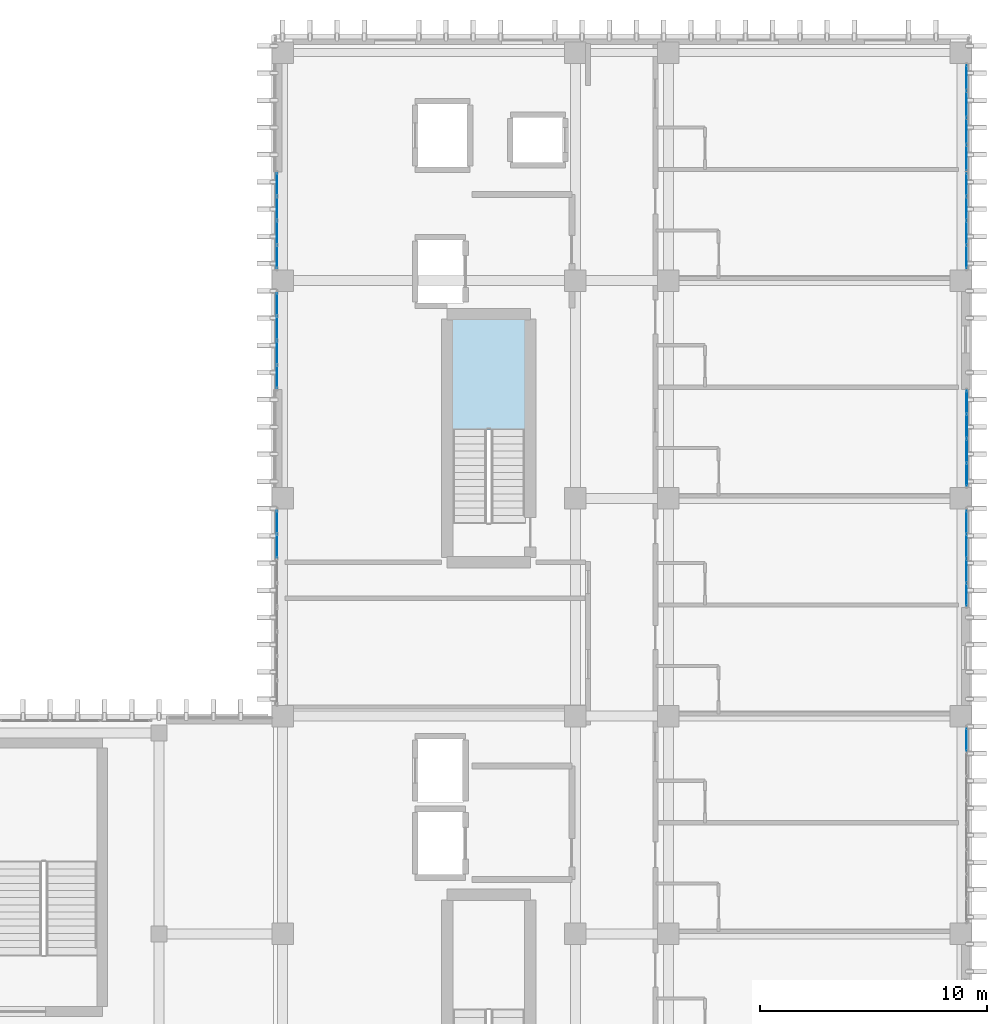
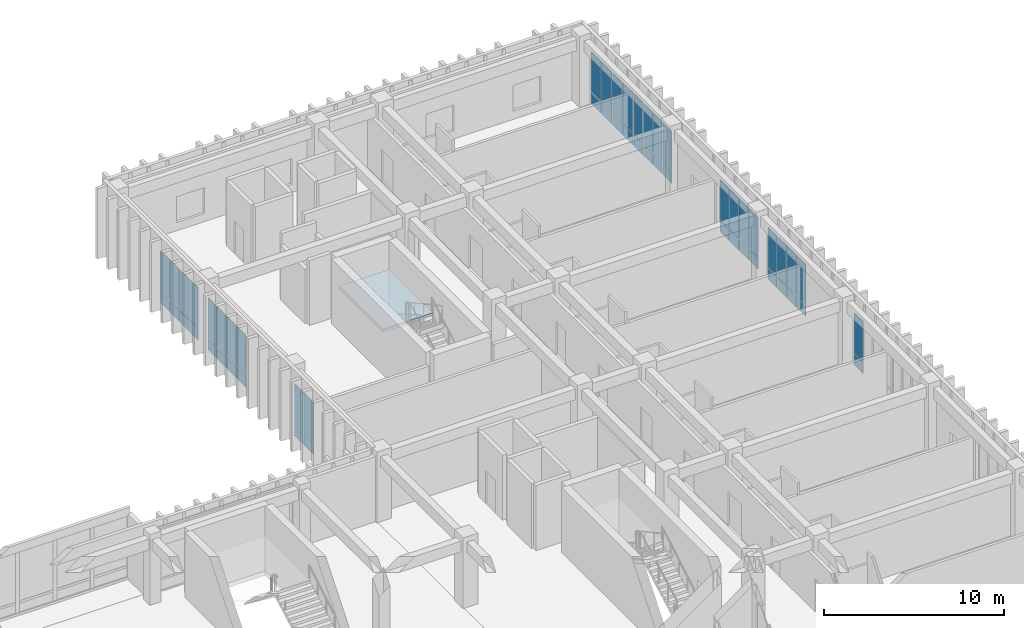
# One storey, part 97 of 133: 54 plates, 1 slab, 9 elements without a shape of their own.
"""IFC4 building model written with IfcOpenShell, lengths in metres."""

import ifcopenshell
import ifcopenshell.guid

model = None  # the IFC model being written
_history = None  # IfcOwnerHistory: only IFC2X3 demands one
_inside = {}  # id of a spatial element -> (the spatial element, [elements in it])
_under = {}  # id of a project, library or spatial element -> (it, [spatial elements below it])
_declared = {}  # id of a project -> (the project, [libraries it declares])
_typed = {}  # id of a type object -> (the type object, [elements of that type])
_made_of = {}  # id of a material, layer set ... -> (it, [elements and type objects made of it])


def new_model(schema):
    """Start an empty IFC model of exactly this schema.

    Asked for "IFC4X3", IfcOpenShell would pick the latest addendum, in which some entities
    have other attributes; the version numbers below select the first issue.
    IFC2X3 requires an IfcOwnerHistory on every rooted entity: one is made here for all.
    """
    global model, _history
    if schema == "IFC4X3":
        model = ifcopenshell.file(schema_version=(4, 3, 0, 0))
    else:
        model = ifcopenshell.file(schema=schema)
    _inside.clear()
    _under.clear()
    _declared.clear()
    _typed.clear()
    _made_of.clear()
    _history = None
    if model.schema == "IFC2X3":
        org = make("IfcOrganization", Name="unknown")
        user = make(
            "IfcPersonAndOrganization",
            ThePerson=make("IfcPerson", FamilyName="unknown"),
            TheOrganization=org,
        )
        app = make(
            "IfcApplication",
            ApplicationDeveloper=org,
            Version="unknown",
            ApplicationFullName="unknown",
            ApplicationIdentifier="unknown",
        )
        _history = make(
            "IfcOwnerHistory",
            OwningUser=user,
            OwningApplication=app,
            ChangeAction="ADDED",
            CreationDate=0,
        )
    return model


def make(cls, **values):
    """One entity of the class cls with the attributes given. An attribute that is None is left unset."""
    return model.create_entity(
        cls, **{name: value for name, value in values.items() if value is not None}
    )


def rooted(cls, **values):
    """An entity with a GlobalId (a new one), such as an element, a storey or a relation."""
    return make(cls, GlobalId=ifcopenshell.guid.new(), OwnerHistory=_history, **values)


def si_unit(unit_type, name, prefix=None):
    """IfcSIUnit, for example si_unit("LENGTHUNIT", "METRE", prefix="MILLI")."""
    return make("IfcSIUnit", UnitType=unit_type, Prefix=prefix, Name=name)


def assignment(units):
    """IfcUnitAssignment: the units of a project."""
    return None if units is None else make("IfcUnitAssignment", Units=units)


def point(xyz):
    """IfcCartesianPoint."""
    return None if xyz is None else make("IfcCartesianPoint", Coordinates=xyz)


def direction(xyz):
    """IfcDirection."""
    return None if xyz is None else make("IfcDirection", DirectionRatios=xyz)


def frame(location, z_axis=None, x_axis=None):
    """IfcAxis2Placement3D, a coordinate frame: its origin and axes. An axis left out is left unset."""
    return make(
        "IfcAxis2Placement3D",
        Location=point(location),
        Axis=direction(z_axis),
        RefDirection=direction(x_axis),
    )


def frame_2d(location, x_axis=None):
    """IfcAxis2Placement2D, a coordinate frame in the plane: its origin and x axis."""
    return make(
        "IfcAxis2Placement2D", Location=point(location), RefDirection=direction(x_axis)
    )


def origin():
    """The frame at (0, 0, 0) with its axes left unset."""
    return frame((0.0, 0.0, 0.0))


def origin_2d():
    """The frame at (0, 0) in the plane with its x axis left unset."""
    return frame_2d((0.0, 0.0))


def place(relative_to, where):
    """IfcLocalPlacement: puts the frame where relative to a parent placement (None: the world)."""
    return make(
        "IfcLocalPlacement", PlacementRelTo=relative_to, RelativePlacement=where
    )


def context(
    kind, dimensions, precision=None, world=None, true_north=None, identifier=None
):
    """IfcGeometricRepresentationContext, for example the 3D "Model" context."""
    return make(
        "IfcGeometricRepresentationContext",
        ContextIdentifier=identifier,
        ContextType=kind,
        CoordinateSpaceDimension=dimensions,
        Precision=precision,
        WorldCoordinateSystem=world,
        TrueNorth=true_north,
    )


def subcontext(parent, identifier, kind, view, scale=None):
    """IfcGeometricRepresentationSubContext, for example "Body" below "Model"."""
    return make(
        "IfcGeometricRepresentationSubContext",
        ContextIdentifier=identifier,
        ContextType=kind,
        ParentContext=parent,
        TargetScale=scale,
        TargetView=view,
    )


def project(units=None, contexts=None):
    """IfcProject with its units and contexts."""
    return rooted(
        "IfcProject",
        Name="project",
        RepresentationContexts=contexts,
        UnitsInContext=assignment(units),
    )


def spatial(cls, under=None, at=None, **own):
    """A site, building, storey or space (cls), placed at a placement, below another one or the project."""
    s = rooted(cls, ObjectPlacement=at, **own)
    if under is not None:
        _under.setdefault(under.id(), (under, []))[1].append(s)
    return s


def polyline(points):
    """IfcPolyline through the points."""
    return make("IfcPolyline", Points=[point(p) for p in points])


def profile(cls, at=None, kind="AREA", **sizes):
    """A parametric profile (cls). Its sizes go by their IFC names, for example OverallWidth=200.0."""
    return make(cls, ProfileType=kind, Position=at, **sizes)


def rectangle(**sizes):
    """IfcRectangleProfileDef."""
    return profile("IfcRectangleProfileDef", **sizes)


def outline(outer, holes=None, kind="AREA"):
    """IfcArbitraryClosedProfileDef: a profile drawn as a closed curve; with holes, ...WithVoids."""
    if holes is None:
        return make("IfcArbitraryClosedProfileDef", ProfileType=kind, OuterCurve=outer)
    return make(
        "IfcArbitraryProfileDefWithVoids",
        ProfileType=kind,
        OuterCurve=outer,
        InnerCurves=holes,
    )


def extrude(swept, where, along, depth):
    """IfcExtrudedAreaSolid: the profile swept, set in the frame where, extruded along a direction by depth."""
    return make(
        "IfcExtrudedAreaSolid",
        SweptArea=swept,
        Position=where,
        ExtrudedDirection=direction(along),
        Depth=depth,
    )


def shape(context_of_items, identifier, shape_type, items):
    """IfcShapeRepresentation: the items that make up one representation, for example the "Body"."""
    return make(
        "IfcShapeRepresentation",
        ContextOfItems=context_of_items,
        RepresentationIdentifier=identifier,
        RepresentationType=shape_type,
        Items=items,
    )


def material(Name=None, Category=None):
    """IfcMaterial."""
    return make("IfcMaterial", Name=Name, Category=Category)


def layer(
    of_material, thickness, ventilated=None, Name=None, Category=None, Priority=None
):
    """IfcMaterialLayer: one layer of a wall or slab, of a material (None: an air gap)."""
    return make(
        "IfcMaterialLayer",
        Material=of_material,
        LayerThickness=thickness,
        IsVentilated=ventilated,
        Name=Name,
        Category=Category,
        Priority=Priority,
    )


def layer_set(layers, Name=None):
    """IfcMaterialLayerSet."""
    return make("IfcMaterialLayerSet", MaterialLayers=layers, LayerSetName=Name)


def made_of(thing, what):
    """Note that an element or type object is made of a material, layer set ...; save() writes the relation."""
    if what is not None:
        _made_of.setdefault(what.id(), (what, []))[1].append(thing)
    return thing


def type_object(cls, material=None, **own):
    """A type object (cls), such as IfcWallType, which elements share."""
    return made_of(rooted(cls, **own), material)


def element(
    cls,
    number,
    at=None,
    inside=None,
    cuts=None,
    type_object=None,
    material=None,
    context=None,
    identifier="Body",
    shape_type=None,
    held_by="IfcProductDefinitionShape",
    body=None,
    shapes=None,
    **own,
):
    """One element of the class cls, such as IfcWall. Its Tag is "e" and its number.

    at: its placement. inside: the storey or other place that contains it. cuts: it is an
    opening in that element (IfcRelVoidsElement). A single representation is given by context,
    identifier, shape_type and body (its items); several are given by shapes. held_by: the class
    of the entity that holds the representations. save() writes the other relations.
    """
    e = rooted(cls, Tag="e%d" % number, ObjectPlacement=at, **own)
    if body is not None:
        shapes = [shape(context, identifier, shape_type, body)]
    if shapes is not None:
        e.Representation = make(held_by, Representations=shapes)
    if inside is not None:
        _inside.setdefault(inside.id(), (inside, []))[1].append(e)
    if cuts is not None:
        rooted(
            "IfcRelVoidsElement", RelatingBuildingElement=cuts, RelatedOpeningElement=e
        )
    if type_object is not None:
        _typed.setdefault(type_object.id(), (type_object, []))[1].append(e)
    return made_of(e, material)


def aggregate(whole, parts):
    """IfcRelAggregates: a whole, such as a stair, and the parts it consists of."""
    return rooted("IfcRelAggregates", RelatingObject=whole, RelatedObjects=parts)


def save(model, path):
    """Write the relations noted so far, then the file.

    IfcRelAggregates (storeys below a building ...), IfcRelContainedInSpatialStructure (elements
    in a storey), IfcRelDefinesByType, IfcRelAssociatesMaterial and IfcRelDeclares: one each for
    every whole, place, type object, material and project.
    """
    for whole, parts in _under.values():
        aggregate(whole, parts)
    for where, things in _inside.values():
        rooted(
            "IfcRelContainedInSpatialStructure",
            RelatedElements=things,
            RelatingStructure=where,
        )
    for kind, things in _typed.values():
        rooted("IfcRelDefinesByType", RelatedObjects=things, RelatingType=kind)
    for what, things in _made_of.values():
        rooted("IfcRelAssociatesMaterial", RelatedObjects=things, RelatingMaterial=what)
    for by, libraries in _declared.values():
        rooted("IfcRelDeclares", RelatingContext=by, RelatedDefinitions=libraries)
    model.write(path)


model = new_model("IFC4")

# Units and contexts
model_context = context("Model", 3, precision=1e-05, world=origin(), true_north=direction((0.0, 1.0)))
body_context = subcontext(model_context, "Body", "Model", "MODEL_VIEW")
ifc_project = project(units=[si_unit("LENGTHUNIT", "METRE"), si_unit("AREAUNIT", "SQUARE_METRE"), si_unit("VOLUMEUNIT", "CUBIC_METRE"), si_unit("PLANEANGLEUNIT", "RADIAN"), si_unit("MASSUNIT", "GRAM", prefix="KILO")], contexts=[model_context])

# Site, building, storey
site_placement = place(None, origin())
site = spatial("IfcSite", under=ifc_project, at=site_placement, CompositionType="ELEMENT")
building_placement = place(site_placement, origin())
building = spatial("IfcBuilding", under=site, at=building_placement, Name="Nakhvara Creek Congress Hotel", CompositionType="ELEMENT")
storey_placement = place(building_placement, frame((0.0, 0.0, 11.39990234375)))
storey = spatial("IfcBuildingStorey", under=building, at=storey_placement, Name="L02", CompositionType="ELEMENT", Elevation=11.39990234375)

# Curtain wall, plates
ifc_material_1 = material(Name="Bronze-anodised aluminium AW-6063-T6 and double-silver low-E glass", Category="aluminium")
ifc_layer_1 = layer(ifc_material_1, 0.199951171875)
ifc_layer_set_1 = layer_set([ifc_layer_1], Name="Bronze-anodised aluminium AW-6063-T6 and double-silver low-E glass")
curtain_wall_type = type_object("IfcCurtainWallType", Name="CW-HTL-UNIT", PredefinedType="USERDEFINED", material=ifc_layer_set_1)
curtain_wall_1_placement = place(storey_placement, origin())
curtain_wall_1 = element("IfcCurtainWall", 1, at=curtain_wall_1_placement, inside=storey, type_object=curtain_wall_type, Name="Curtain Wall CW141", ObjectType="UNITISED", PredefinedType="USERDEFINED")
ifc_material_2 = material(Name="Double-silver solar-control low-E insulated glass", Category="glass")
plate_type_1 = type_object("IfcPlateType", Name="PNL-GLZ-120X250", PredefinedType="CURTAIN_PANEL", material=ifc_material_2)
plate_1_placement = place(storey_placement, frame((179.60009765625, 94.955078125, 0.065185546875), z_axis=(0.0, 0.0, 1.0), x_axis=(0.0, -1.0, 0.0)))
plate_1 = element("IfcPlate", 2, at=plate_1_placement, type_object=plate_type_1, Name="CW141 panel 1.1", PredefinedType="CURTAIN_PANEL", context=body_context, shape_type="SweptSolid", body=[
    extrude(rectangle(XDim=0.97998046875, YDim=0.028076171875, at=origin_2d()), origin(), (0.0, 0.0, 1.0), 0.75244140625),
])
plate_2_placement = place(storey_placement, frame((179.60009765625, 94.955078125, 0.88232421875), z_axis=(0.0, 0.0, 1.0), x_axis=(0.0, -1.0, 0.0)))
plate_2 = element("IfcPlate", 3, at=plate_2_placement, type_object=plate_type_1, Name="CW141 panel 1.2", PredefinedType="CURTAIN_PANEL", context=body_context, shape_type="SweptSolid", body=[
    extrude(rectangle(XDim=0.97998046875, YDim=0.028076171875, at=origin_2d()), origin(), (0.0, 0.0, 1.0), 2.714599609375),
])
aggregate(curtain_wall_1, [plate_1, plate_2])

curtain_wall_2_placement = place(storey_placement, origin())
curtain_wall_2 = element("IfcCurtainWall", 4, at=curtain_wall_2_placement, inside=storey, type_object=curtain_wall_type, Name="Curtain Wall CW143", ObjectType="UNITISED", PredefinedType="USERDEFINED")
plate_3_placement = place(storey_placement, frame((179.60009765625, 104.554931640625, 0.065185546875), z_axis=(0.0, 0.0, 1.0), x_axis=(0.0, -1.0, 0.0)))
plate_3 = element("IfcPlate", 5, at=plate_3_placement, type_object=plate_type_1, Name="CW143 panel 1.1", PredefinedType="CURTAIN_PANEL", context=body_context, shape_type="SweptSolid", body=[
    extrude(rectangle(XDim=0.97998046875, YDim=0.028076171875, at=origin_2d()), origin(), (0.0, 0.0, 1.0), 0.75244140625),
])
plate_4_placement = place(storey_placement, frame((179.60009765625, 104.554931640625, 0.88232421875), z_axis=(0.0, 0.0, 1.0), x_axis=(0.0, -1.0, 0.0)))
plate_4 = element("IfcPlate", 6, at=plate_4_placement, type_object=plate_type_1, Name="CW143 panel 1.2", PredefinedType="CURTAIN_PANEL", context=body_context, shape_type="SweptSolid", body=[
    extrude(rectangle(XDim=0.97998046875, YDim=0.028076171875, at=origin_2d()), origin(), (0.0, 0.0, 1.0), 2.714599609375),
])
plate_5_placement = place(storey_placement, frame((179.60009765625, 103.49365234375, 0.065185546875), z_axis=(0.0, 0.0, 1.0), x_axis=(0.0, -1.0, 0.0)))
plate_5 = element("IfcPlate", 7, at=plate_5_placement, type_object=plate_type_1, Name="CW143 panel 2.1", PredefinedType="CURTAIN_PANEL", context=body_context, shape_type="SweptSolid", body=[
    extrude(rectangle(XDim=1.012451171875, YDim=0.028076171875, at=origin_2d()), origin(), (0.0, 0.0, 1.0), 0.75244140625),
])
plate_6_placement = place(storey_placement, frame((179.60009765625, 103.49365234375, 0.88232421875), z_axis=(0.0, 0.0, 1.0), x_axis=(0.0, -1.0, 0.0)))
plate_6 = element("IfcPlate", 8, at=plate_6_placement, type_object=plate_type_1, Name="CW143 panel 2.2", PredefinedType="CURTAIN_PANEL", context=body_context, shape_type="SweptSolid", body=[
    extrude(rectangle(XDim=1.012451171875, YDim=0.028076171875, at=origin_2d()), origin(), (0.0, 0.0, 1.0), 2.714599609375),
])
plate_7_placement = place(storey_placement, frame((179.60009765625, 102.416259765625, 0.065185546875), z_axis=(0.0, 0.0, 1.0), x_axis=(0.0, -1.0, 0.0)))
plate_7 = element("IfcPlate", 9, at=plate_7_placement, type_object=plate_type_1, Name="CW143 panel 3.1", PredefinedType="CURTAIN_PANEL", context=body_context, shape_type="SweptSolid", body=[
    extrude(rectangle(XDim=1.012451171875, YDim=0.028076171875, at=origin_2d()), origin(), (0.0, 0.0, 1.0), 0.75244140625),
])
plate_8_placement = place(storey_placement, frame((179.60009765625, 102.416259765625, 0.88232421875), z_axis=(0.0, 0.0, 1.0), x_axis=(0.0, -1.0, 0.0)))
plate_8 = element("IfcPlate", 10, at=plate_8_placement, type_object=plate_type_1, Name="CW143 panel 3.2", PredefinedType="CURTAIN_PANEL", context=body_context, shape_type="SweptSolid", body=[
    extrude(rectangle(XDim=1.012451171875, YDim=0.028076171875, at=origin_2d()), origin(), (0.0, 0.0, 1.0), 2.714599609375),
])
plate_9_placement = place(storey_placement, frame((179.60009765625, 101.35498046875, 0.065185546875), z_axis=(0.0, 0.0, 1.0), x_axis=(0.0, -1.0, 0.0)))
plate_9 = element("IfcPlate", 11, at=plate_9_placement, type_object=plate_type_1, Name="CW143 panel 4.1", PredefinedType="CURTAIN_PANEL", context=body_context, shape_type="SweptSolid", body=[
    extrude(rectangle(XDim=0.97998046875, YDim=0.028076171875, at=origin_2d()), origin(), (0.0, 0.0, 1.0), 0.75244140625),
])
plate_10_placement = place(storey_placement, frame((179.60009765625, 101.35498046875, 0.88232421875), z_axis=(0.0, 0.0, 1.0), x_axis=(0.0, -1.0, 0.0)))
plate_10 = element("IfcPlate", 12, at=plate_10_placement, type_object=plate_type_1, Name="CW143 panel 4.2", PredefinedType="CURTAIN_PANEL", context=body_context, shape_type="SweptSolid", body=[
    extrude(rectangle(XDim=0.97998046875, YDim=0.028076171875, at=origin_2d()), origin(), (0.0, 0.0, 1.0), 2.714599609375),
])
aggregate(curtain_wall_2, [plate_3, plate_4, plate_5, plate_6, plate_7, plate_8, plate_9, plate_10])

curtain_wall_3_placement = place(storey_placement, origin())
curtain_wall_3 = element("IfcCurtainWall", 13, at=curtain_wall_3_placement, inside=storey, type_object=curtain_wall_type, Name="Curtain Wall CW144", ObjectType="UNITISED", PredefinedType="USERDEFINED")
plate_11_placement = place(storey_placement, frame((149.199951171875, 103.49365234375, 0.065185546875), z_axis=(0.0, 0.0, 1.0), x_axis=(0.0, 1.0, 0.0)))
plate_11 = element("IfcPlate", 14, at=plate_11_placement, type_object=plate_type_1, Name="CW144 panel 3.1", PredefinedType="CURTAIN_PANEL", context=body_context, shape_type="SweptSolid", body=[
    extrude(rectangle(XDim=1.012451171875, YDim=0.028076171875, at=origin_2d()), origin(), (0.0, 0.0, 1.0), 0.75244140625),
])
plate_12_placement = place(storey_placement, frame((149.199951171875, 103.49365234375, 0.8828125), z_axis=(0.0, 0.0, 1.0), x_axis=(0.0, 1.0, 0.0)))
plate_12 = element("IfcPlate", 15, at=plate_12_placement, type_object=plate_type_1, Name="CW144 panel 3.2", PredefinedType="CURTAIN_PANEL", context=body_context, shape_type="SweptSolid", body=[
    extrude(rectangle(XDim=1.012451171875, YDim=0.028076171875, at=origin_2d()), origin(), (0.0, 0.0, 1.0), 2.744384765625),
])
plate_13_placement = place(storey_placement, frame((149.199951171875, 104.554931640625, 0.065185546875), z_axis=(0.0, 0.0, 1.0), x_axis=(0.0, 1.0, 0.0)))
plate_13 = element("IfcPlate", 16, at=plate_13_placement, type_object=plate_type_1, Name="CW144 panel 4.1", PredefinedType="CURTAIN_PANEL", context=body_context, shape_type="SweptSolid", body=[
    extrude(rectangle(XDim=0.97998046875, YDim=0.028076171875, at=origin_2d()), origin(), (0.0, 0.0, 1.0), 0.75244140625),
])
plate_14_placement = place(storey_placement, frame((149.199951171875, 104.554931640625, 0.8828125), z_axis=(0.0, 0.0, 1.0), x_axis=(0.0, 1.0, 0.0)))
plate_14 = element("IfcPlate", 17, at=plate_14_placement, type_object=plate_type_1, Name="CW144 panel 4.2", PredefinedType="CURTAIN_PANEL", context=body_context, shape_type="SweptSolid", body=[
    extrude(rectangle(XDim=0.97998046875, YDim=0.028076171875, at=origin_2d()), origin(), (0.0, 0.0, 1.0), 2.744384765625),
])
aggregate(curtain_wall_3, [plate_11, plate_12, plate_13, plate_14])

curtain_wall_4_placement = place(storey_placement, origin())
curtain_wall_4 = element("IfcCurtainWall", 18, at=curtain_wall_4_placement, inside=storey, type_object=curtain_wall_type, Name="Curtain Wall CW146", ObjectType="UNITISED", PredefinedType="USERDEFINED")
plate_15_placement = place(storey_placement, frame((149.199951171875, 110.955078125, 0.065185546875), z_axis=(0.0, 0.0, 1.0), x_axis=(0.0, 1.0, 0.0)))
plate_15 = element("IfcPlate", 19, at=plate_15_placement, type_object=plate_type_1, Name="CW146 panel 1.1", PredefinedType="CURTAIN_PANEL", context=body_context, shape_type="SweptSolid", body=[
    extrude(rectangle(XDim=0.97998046875, YDim=0.028076171875, at=origin_2d()), origin(), (0.0, 0.0, 1.0), 0.75244140625),
])
plate_16_placement = place(storey_placement, frame((149.199951171875, 110.955078125, 0.8828125), z_axis=(0.0, 0.0, 1.0), x_axis=(0.0, 1.0, 0.0)))
plate_16 = element("IfcPlate", 20, at=plate_16_placement, type_object=plate_type_1, Name="CW146 panel 1.2", PredefinedType="CURTAIN_PANEL", context=body_context, shape_type="SweptSolid", body=[
    extrude(rectangle(XDim=0.97998046875, YDim=0.028076171875, at=origin_2d()), origin(), (0.0, 0.0, 1.0), 2.744384765625),
])
plate_17_placement = place(storey_placement, frame((149.199951171875, 112.016357421875, 0.065185546875), z_axis=(0.0, 0.0, 1.0), x_axis=(0.0, 1.0, 0.0)))
plate_17 = element("IfcPlate", 21, at=plate_17_placement, type_object=plate_type_1, Name="CW146 panel 2.1", PredefinedType="CURTAIN_PANEL", context=body_context, shape_type="SweptSolid", body=[
    extrude(rectangle(XDim=1.012451171875, YDim=0.028076171875, at=origin_2d()), origin(), (0.0, 0.0, 1.0), 0.75244140625),
])
plate_18_placement = place(storey_placement, frame((149.199951171875, 112.016357421875, 0.8828125), z_axis=(0.0, 0.0, 1.0), x_axis=(0.0, 1.0, 0.0)))
plate_18 = element("IfcPlate", 22, at=plate_18_placement, type_object=plate_type_1, Name="CW146 panel 2.2", PredefinedType="CURTAIN_PANEL", context=body_context, shape_type="SweptSolid", body=[
    extrude(rectangle(XDim=1.012451171875, YDim=0.028076171875, at=origin_2d()), origin(), (0.0, 0.0, 1.0), 2.744384765625),
])
plate_19_placement = place(storey_placement, frame((149.199951171875, 113.09375, 0.065185546875), z_axis=(0.0, 0.0, 1.0), x_axis=(0.0, 1.0, 0.0)))
plate_19 = element("IfcPlate", 23, at=plate_19_placement, type_object=plate_type_1, Name="CW146 panel 3.1", PredefinedType="CURTAIN_PANEL", context=body_context, shape_type="SweptSolid", body=[
    extrude(rectangle(XDim=1.012451171875, YDim=0.028076171875, at=origin_2d()), origin(), (0.0, 0.0, 1.0), 0.75244140625),
])
plate_20_placement = place(storey_placement, frame((149.199951171875, 113.09375, 0.8828125), z_axis=(0.0, 0.0, 1.0), x_axis=(0.0, 1.0, 0.0)))
plate_20 = element("IfcPlate", 24, at=plate_20_placement, type_object=plate_type_1, Name="CW146 panel 3.2", PredefinedType="CURTAIN_PANEL", context=body_context, shape_type="SweptSolid", body=[
    extrude(rectangle(XDim=1.012451171875, YDim=0.028076171875, at=origin_2d()), origin(), (0.0, 0.0, 1.0), 2.744384765625),
])
plate_21_placement = place(storey_placement, frame((149.199951171875, 114.155029296875, 0.065185546875), z_axis=(0.0, 0.0, 1.0), x_axis=(0.0, 1.0, 0.0)))
plate_21 = element("IfcPlate", 25, at=plate_21_placement, type_object=plate_type_1, Name="CW146 panel 4.1", PredefinedType="CURTAIN_PANEL", context=body_context, shape_type="SweptSolid", body=[
    extrude(rectangle(XDim=0.97998046875, YDim=0.028076171875, at=origin_2d()), origin(), (0.0, 0.0, 1.0), 0.75244140625),
])
plate_22_placement = place(storey_placement, frame((149.199951171875, 114.155029296875, 0.8828125), z_axis=(0.0, 0.0, 1.0), x_axis=(0.0, 1.0, 0.0)))
plate_22 = element("IfcPlate", 26, at=plate_22_placement, type_object=plate_type_1, Name="CW146 panel 4.2", PredefinedType="CURTAIN_PANEL", context=body_context, shape_type="SweptSolid", body=[
    extrude(rectangle(XDim=0.97998046875, YDim=0.028076171875, at=origin_2d()), origin(), (0.0, 0.0, 1.0), 2.744384765625),
])
aggregate(curtain_wall_4, [plate_15, plate_16, plate_17, plate_18, plate_19, plate_20, plate_21, plate_22])

curtain_wall_5_placement = place(storey_placement, origin())
curtain_wall_5 = element("IfcCurtainWall", 27, at=curtain_wall_5_placement, inside=storey, type_object=curtain_wall_type, Name="Curtain Wall CW147", ObjectType="UNITISED", PredefinedType="USERDEFINED")
plate_23_placement = place(storey_placement, frame((179.60009765625, 119.445068359375, 0.065185546875), z_axis=(0.0, 0.0, 1.0), x_axis=(0.0, -1.0, 0.0)))
plate_23 = element("IfcPlate", 28, at=plate_23_placement, type_object=plate_type_1, Name="CW147 panel 1.1", PredefinedType="CURTAIN_PANEL", context=body_context, shape_type="SweptSolid", body=[
    extrude(rectangle(XDim=0.97998046875, YDim=0.028076171875, at=origin_2d()), origin(), (0.0, 0.0, 1.0), 0.75244140625),
])
plate_24_placement = place(storey_placement, frame((179.60009765625, 119.445068359375, 0.88232421875), z_axis=(0.0, 0.0, 1.0), x_axis=(0.0, -1.0, 0.0)))
plate_24 = element("IfcPlate", 29, at=plate_24_placement, type_object=plate_type_1, Name="CW147 panel 1.2", PredefinedType="CURTAIN_PANEL", context=body_context, shape_type="SweptSolid", body=[
    extrude(rectangle(XDim=0.97998046875, YDim=0.028076171875, at=origin_2d()), origin(), (0.0, 0.0, 1.0), 2.714599609375),
])
plate_25_placement = place(storey_placement, frame((179.60009765625, 118.3837890625, 0.065185546875), z_axis=(0.0, 0.0, 1.0), x_axis=(0.0, -1.0, 0.0)))
plate_25 = element("IfcPlate", 30, at=plate_25_placement, type_object=plate_type_1, Name="CW147 panel 2.1", PredefinedType="CURTAIN_PANEL", context=body_context, shape_type="SweptSolid", body=[
    extrude(rectangle(XDim=1.012451171875, YDim=0.028076171875, at=origin_2d()), origin(), (0.0, 0.0, 1.0), 0.75244140625),
])
plate_26_placement = place(storey_placement, frame((179.60009765625, 118.3837890625, 0.88232421875), z_axis=(0.0, 0.0, 1.0), x_axis=(0.0, -1.0, 0.0)))
plate_26 = element("IfcPlate", 31, at=plate_26_placement, type_object=plate_type_1, Name="CW147 panel 2.2", PredefinedType="CURTAIN_PANEL", context=body_context, shape_type="SweptSolid", body=[
    extrude(rectangle(XDim=1.012451171875, YDim=0.028076171875, at=origin_2d()), origin(), (0.0, 0.0, 1.0), 2.714599609375),
])
plate_27_placement = place(storey_placement, frame((179.60009765625, 117.30615234375, 0.065185546875), z_axis=(0.0, 0.0, 1.0), x_axis=(0.0, -1.0, 0.0)))
plate_27 = element("IfcPlate", 32, at=plate_27_placement, type_object=plate_type_1, Name="CW147 panel 3.1", PredefinedType="CURTAIN_PANEL", context=body_context, shape_type="SweptSolid", body=[
    extrude(rectangle(XDim=1.012451171875, YDim=0.028076171875, at=origin_2d()), origin(), (0.0, 0.0, 1.0), 0.75244140625),
])
plate_28_placement = place(storey_placement, frame((179.60009765625, 117.30615234375, 0.88232421875), z_axis=(0.0, 0.0, 1.0), x_axis=(0.0, -1.0, 0.0)))
plate_28 = element("IfcPlate", 33, at=plate_28_placement, type_object=plate_type_1, Name="CW147 panel 3.2", PredefinedType="CURTAIN_PANEL", context=body_context, shape_type="SweptSolid", body=[
    extrude(rectangle(XDim=1.012451171875, YDim=0.028076171875, at=origin_2d()), origin(), (0.0, 0.0, 1.0), 2.714599609375),
])
plate_29_placement = place(storey_placement, frame((179.60009765625, 116.2451171875, 0.065185546875), z_axis=(0.0, 0.0, 1.0), x_axis=(0.0, -1.0, 0.0)))
plate_29 = element("IfcPlate", 34, at=plate_29_placement, type_object=plate_type_1, Name="CW147 panel 4.1", PredefinedType="CURTAIN_PANEL", context=body_context, shape_type="SweptSolid", body=[
    extrude(rectangle(XDim=0.97998046875, YDim=0.028076171875, at=origin_2d()), origin(), (0.0, 0.0, 1.0), 0.75244140625),
])
plate_30_placement = place(storey_placement, frame((179.60009765625, 116.2451171875, 0.88232421875), z_axis=(0.0, 0.0, 1.0), x_axis=(0.0, -1.0, 0.0)))
plate_30 = element("IfcPlate", 35, at=plate_30_placement, type_object=plate_type_1, Name="CW147 panel 4.2", PredefinedType="CURTAIN_PANEL", context=body_context, shape_type="SweptSolid", body=[
    extrude(rectangle(XDim=0.97998046875, YDim=0.028076171875, at=origin_2d()), origin(), (0.0, 0.0, 1.0), 2.714599609375),
])
aggregate(curtain_wall_5, [plate_23, plate_24, plate_25, plate_26, plate_27, plate_28, plate_29, plate_30])

curtain_wall_6_placement = place(storey_placement, origin())
curtain_wall_6 = element("IfcCurtainWall", 36, at=curtain_wall_6_placement, inside=storey, type_object=curtain_wall_type, Name="Curtain Wall CW148", ObjectType="UNITISED", PredefinedType="USERDEFINED")
plate_31_placement = place(storey_placement, frame((149.199951171875, 116.2451171875, 0.065185546875), z_axis=(0.0, 0.0, 1.0), x_axis=(0.0, 1.0, 0.0)))
plate_31 = element("IfcPlate", 37, at=plate_31_placement, type_object=plate_type_1, Name="CW148 panel 1.1", PredefinedType="CURTAIN_PANEL", context=body_context, shape_type="SweptSolid", body=[
    extrude(rectangle(XDim=0.97998046875, YDim=0.028076171875, at=origin_2d()), origin(), (0.0, 0.0, 1.0), 0.75244140625),
])
plate_32_placement = place(storey_placement, frame((149.199951171875, 116.2451171875, 0.8828125), z_axis=(0.0, 0.0, 1.0), x_axis=(0.0, 1.0, 0.0)))
plate_32 = element("IfcPlate", 38, at=plate_32_placement, type_object=plate_type_1, Name="CW148 panel 1.2", PredefinedType="CURTAIN_PANEL", context=body_context, shape_type="SweptSolid", body=[
    extrude(rectangle(XDim=0.97998046875, YDim=0.028076171875, at=origin_2d()), origin(), (0.0, 0.0, 1.0), 2.744384765625),
])
plate_33_placement = place(storey_placement, frame((149.199951171875, 117.30615234375, 0.065185546875), z_axis=(0.0, 0.0, 1.0), x_axis=(0.0, 1.0, 0.0)))
plate_33 = element("IfcPlate", 39, at=plate_33_placement, type_object=plate_type_1, Name="CW148 panel 2.1", PredefinedType="CURTAIN_PANEL", context=body_context, shape_type="SweptSolid", body=[
    extrude(rectangle(XDim=1.012451171875, YDim=0.028076171875, at=origin_2d()), origin(), (0.0, 0.0, 1.0), 0.75244140625),
])
plate_34_placement = place(storey_placement, frame((149.199951171875, 117.30615234375, 0.8828125), z_axis=(0.0, 0.0, 1.0), x_axis=(0.0, 1.0, 0.0)))
plate_34 = element("IfcPlate", 40, at=plate_34_placement, type_object=plate_type_1, Name="CW148 panel 2.2", PredefinedType="CURTAIN_PANEL", context=body_context, shape_type="SweptSolid", body=[
    extrude(rectangle(XDim=1.012451171875, YDim=0.028076171875, at=origin_2d()), origin(), (0.0, 0.0, 1.0), 2.744384765625),
])
plate_35_placement = place(storey_placement, frame((149.199951171875, 118.3837890625, 0.065185546875), z_axis=(0.0, 0.0, 1.0), x_axis=(0.0, 1.0, 0.0)))
plate_35 = element("IfcPlate", 41, at=plate_35_placement, type_object=plate_type_1, Name="CW148 panel 3.1", PredefinedType="CURTAIN_PANEL", context=body_context, shape_type="SweptSolid", body=[
    extrude(rectangle(XDim=1.012451171875, YDim=0.028076171875, at=origin_2d()), origin(), (0.0, 0.0, 1.0), 0.75244140625),
])
plate_36_placement = place(storey_placement, frame((149.199951171875, 118.3837890625, 0.8828125), z_axis=(0.0, 0.0, 1.0), x_axis=(0.0, 1.0, 0.0)))
plate_36 = element("IfcPlate", 42, at=plate_36_placement, type_object=plate_type_1, Name="CW148 panel 3.2", PredefinedType="CURTAIN_PANEL", context=body_context, shape_type="SweptSolid", body=[
    extrude(rectangle(XDim=1.012451171875, YDim=0.028076171875, at=origin_2d()), origin(), (0.0, 0.0, 1.0), 2.744384765625),
])
plate_37_placement = place(storey_placement, frame((149.199951171875, 119.445068359375, 0.065185546875), z_axis=(0.0, 0.0, 1.0), x_axis=(0.0, 1.0, 0.0)))
plate_37 = element("IfcPlate", 43, at=plate_37_placement, type_object=plate_type_1, Name="CW148 panel 4.1", PredefinedType="CURTAIN_PANEL", context=body_context, shape_type="SweptSolid", body=[
    extrude(rectangle(XDim=0.97998046875, YDim=0.028076171875, at=origin_2d()), origin(), (0.0, 0.0, 1.0), 0.75244140625),
])
plate_38_placement = place(storey_placement, frame((149.199951171875, 119.445068359375, 0.8828125), z_axis=(0.0, 0.0, 1.0), x_axis=(0.0, 1.0, 0.0)))
plate_38 = element("IfcPlate", 44, at=plate_38_placement, type_object=plate_type_1, Name="CW148 panel 4.2", PredefinedType="CURTAIN_PANEL", context=body_context, shape_type="SweptSolid", body=[
    extrude(rectangle(XDim=0.97998046875, YDim=0.028076171875, at=origin_2d()), origin(), (0.0, 0.0, 1.0), 2.744384765625),
])
aggregate(curtain_wall_6, [plate_31, plate_32, plate_33, plate_34, plate_35, plate_36, plate_37, plate_38])

curtain_wall_7_placement = place(storey_placement, origin())
curtain_wall_7 = element("IfcCurtainWall", 45, at=curtain_wall_7_placement, inside=storey, type_object=curtain_wall_type, Name="Curtain Wall CW149", ObjectType="UNITISED", PredefinedType="USERDEFINED")
plate_39_placement = place(storey_placement, frame((179.60009765625, 124.148681640625, 0.065185546875), z_axis=(0.0, 0.0, 1.0), x_axis=(0.0, -1.0, 0.0)))
plate_39 = element("IfcPlate", 46, at=plate_39_placement, type_object=plate_type_1, Name="CW149 panel 1.1", PredefinedType="CURTAIN_PANEL", context=body_context, shape_type="SweptSolid", body=[
    extrude(rectangle(XDim=1.092529296875, YDim=0.028076171875, at=origin_2d()), origin(), (0.0, 0.0, 1.0), 0.75244140625),
])
plate_40_placement = place(storey_placement, frame((179.60009765625, 124.148681640625, 0.88232421875), z_axis=(0.0, 0.0, 1.0), x_axis=(0.0, -1.0, 0.0)))
plate_40 = element("IfcPlate", 47, at=plate_40_placement, type_object=plate_type_1, Name="CW149 panel 1.2", PredefinedType="CURTAIN_PANEL", context=body_context, shape_type="SweptSolid", body=[
    extrude(rectangle(XDim=1.092529296875, YDim=0.028076171875, at=origin_2d()), origin(), (0.0, 0.0, 1.0), 2.714599609375),
])
plate_41_placement = place(storey_placement, frame((179.60009765625, 122.97509765625, 0.065185546875), z_axis=(0.0, 0.0, 1.0), x_axis=(0.0, -1.0, 0.0)))
plate_41 = element("IfcPlate", 48, at=plate_41_placement, type_object=plate_type_1, Name="CW149 panel 2.1", PredefinedType="CURTAIN_PANEL", context=body_context, shape_type="SweptSolid", body=[
    extrude(rectangle(XDim=1.125, YDim=0.028076171875, at=origin_2d()), origin(), (0.0, 0.0, 1.0), 0.75244140625),
])
plate_42_placement = place(storey_placement, frame((179.60009765625, 122.97509765625, 0.88232421875), z_axis=(0.0, 0.0, 1.0), x_axis=(0.0, -1.0, 0.0)))
plate_42 = element("IfcPlate", 49, at=plate_42_placement, type_object=plate_type_1, Name="CW149 panel 2.2", PredefinedType="CURTAIN_PANEL", context=body_context, shape_type="SweptSolid", body=[
    extrude(rectangle(XDim=1.125, YDim=0.028076171875, at=origin_2d()), origin(), (0.0, 0.0, 1.0), 2.714599609375),
])
plate_43_placement = place(storey_placement, frame((179.60009765625, 121.784912109375, 0.065185546875), z_axis=(0.0, 0.0, 1.0), x_axis=(0.0, -1.0, 0.0)))
plate_43 = element("IfcPlate", 50, at=plate_43_placement, type_object=plate_type_1, Name="CW149 panel 3.1", PredefinedType="CURTAIN_PANEL", context=body_context, shape_type="SweptSolid", body=[
    extrude(rectangle(XDim=1.125, YDim=0.028076171875, at=origin_2d()), origin(), (0.0, 0.0, 1.0), 0.75244140625),
])
plate_44_placement = place(storey_placement, frame((179.60009765625, 121.784912109375, 0.88232421875), z_axis=(0.0, 0.0, 1.0), x_axis=(0.0, -1.0, 0.0)))
plate_44 = element("IfcPlate", 51, at=plate_44_placement, type_object=plate_type_1, Name="CW149 panel 3.2", PredefinedType="CURTAIN_PANEL", context=body_context, shape_type="SweptSolid", body=[
    extrude(rectangle(XDim=1.125, YDim=0.028076171875, at=origin_2d()), origin(), (0.0, 0.0, 1.0), 2.714599609375),
])
plate_45_placement = place(storey_placement, frame((179.60009765625, 120.611328125, 0.065185546875), z_axis=(0.0, 0.0, 1.0), x_axis=(0.0, -1.0, 0.0)))
plate_45 = element("IfcPlate", 52, at=plate_45_placement, type_object=plate_type_1, Name="CW149 panel 4.1", PredefinedType="CURTAIN_PANEL", context=body_context, shape_type="SweptSolid", body=[
    extrude(rectangle(XDim=1.092529296875, YDim=0.028076171875, at=origin_2d()), origin(), (0.0, 0.0, 1.0), 0.75244140625),
])
plate_46_placement = place(storey_placement, frame((179.60009765625, 120.611328125, 0.88232421875), z_axis=(0.0, 0.0, 1.0), x_axis=(0.0, -1.0, 0.0)))
plate_46 = element("IfcPlate", 53, at=plate_46_placement, type_object=plate_type_1, Name="CW149 panel 4.2", PredefinedType="CURTAIN_PANEL", context=body_context, shape_type="SweptSolid", body=[
    extrude(rectangle(XDim=1.092529296875, YDim=0.028076171875, at=origin_2d()), origin(), (0.0, 0.0, 1.0), 2.714599609375),
])
aggregate(curtain_wall_7, [plate_39, plate_40, plate_41, plate_42, plate_43, plate_44, plate_45, plate_46])

curtain_wall_8_placement = place(storey_placement, origin())
curtain_wall_8 = element("IfcCurtainWall", 54, at=curtain_wall_8_placement, inside=storey, type_object=curtain_wall_type, Name="Curtain Wall CW145", ObjectType="UNITISED", PredefinedType="USERDEFINED")
ifc_material_3 = material(Name="Back-insulated bronze spandrel glass panel", Category="glass")
plate_type_2 = type_object("IfcPlateType", Name="PNL-SPN-120X080", PredefinedType="CURTAIN_PANEL", material=ifc_material_3)
plate_47_placement = place(storey_placement, frame((179.60009765625, 109.844970703125, 0.065185546875), z_axis=(0.0, 0.0, 1.0), x_axis=(0.0, -1.0, 0.0)))
plate_47 = element("IfcPlate", 55, at=plate_47_placement, type_object=plate_type_2, Name="CW145 panel 1.1", PredefinedType="CURTAIN_PANEL", context=body_context, shape_type="SweptSolid", body=[
    extrude(rectangle(XDim=0.97998046875, YDim=0.0419921875, at=origin_2d()), origin(), (0.0, 0.0, 1.0), 0.75244140625),
])
plate_48_placement = place(storey_placement, frame((179.60009765625, 109.844970703125, 0.88232421875), z_axis=(0.0, 0.0, 1.0), x_axis=(0.0, -1.0, 0.0)))
plate_48 = element("IfcPlate", 56, at=plate_48_placement, type_object=plate_type_2, Name="CW145 panel 1.2", PredefinedType="CURTAIN_PANEL", context=body_context, shape_type="SweptSolid", body=[
    extrude(rectangle(XDim=0.97998046875, YDim=0.0419921875, at=origin_2d()), origin(), (0.0, 0.0, 1.0), 2.714599609375),
])
plate_49_placement = place(storey_placement, frame((179.60009765625, 108.78369140625, 0.065185546875), z_axis=(0.0, 0.0, 1.0), x_axis=(0.0, -1.0, 0.0)))
plate_49 = element("IfcPlate", 57, at=plate_49_placement, type_object=plate_type_2, Name="CW145 panel 2.1", PredefinedType="CURTAIN_PANEL", context=body_context, shape_type="SweptSolid", body=[
    extrude(rectangle(XDim=1.012451171875, YDim=0.0419921875, at=origin_2d()), origin(), (0.0, 0.0, 1.0), 0.75244140625),
])
plate_50_placement = place(storey_placement, frame((179.60009765625, 108.78369140625, 0.88232421875), z_axis=(0.0, 0.0, 1.0), x_axis=(0.0, -1.0, 0.0)))
plate_50 = element("IfcPlate", 58, at=plate_50_placement, type_object=plate_type_2, Name="CW145 panel 2.2", PredefinedType="CURTAIN_PANEL", context=body_context, shape_type="SweptSolid", body=[
    extrude(rectangle(XDim=1.012451171875, YDim=0.0419921875, at=origin_2d()), origin(), (0.0, 0.0, 1.0), 2.714599609375),
])
plate_51_placement = place(storey_placement, frame((179.60009765625, 107.706298828125, 0.065185546875), z_axis=(0.0, 0.0, 1.0), x_axis=(0.0, -1.0, 0.0)))
plate_51 = element("IfcPlate", 59, at=plate_51_placement, type_object=plate_type_2, Name="CW145 panel 3.1", PredefinedType="CURTAIN_PANEL", context=body_context, shape_type="SweptSolid", body=[
    extrude(rectangle(XDim=1.012451171875, YDim=0.0419921875, at=origin_2d()), origin(), (0.0, 0.0, 1.0), 0.75244140625),
])
plate_52_placement = place(storey_placement, frame((179.60009765625, 107.706298828125, 0.88232421875), z_axis=(0.0, 0.0, 1.0), x_axis=(0.0, -1.0, 0.0)))
plate_52 = element("IfcPlate", 60, at=plate_52_placement, type_object=plate_type_2, Name="CW145 panel 3.2", PredefinedType="CURTAIN_PANEL", context=body_context, shape_type="SweptSolid", body=[
    extrude(rectangle(XDim=1.012451171875, YDim=0.0419921875, at=origin_2d()), origin(), (0.0, 0.0, 1.0), 2.714599609375),
])
plate_53_placement = place(storey_placement, frame((179.60009765625, 106.64501953125, 0.065185546875), z_axis=(0.0, 0.0, 1.0), x_axis=(0.0, -1.0, 0.0)))
plate_53 = element("IfcPlate", 61, at=plate_53_placement, type_object=plate_type_2, Name="CW145 panel 4.1", PredefinedType="CURTAIN_PANEL", context=body_context, shape_type="SweptSolid", body=[
    extrude(rectangle(XDim=0.97998046875, YDim=0.0419921875, at=origin_2d()), origin(), (0.0, 0.0, 1.0), 0.75244140625),
])
plate_54_placement = place(storey_placement, frame((179.60009765625, 106.64501953125, 0.88232421875), z_axis=(0.0, 0.0, 1.0), x_axis=(0.0, -1.0, 0.0)))
plate_54 = element("IfcPlate", 62, at=plate_54_placement, type_object=plate_type_2, Name="CW145 panel 4.2", PredefinedType="CURTAIN_PANEL", context=body_context, shape_type="SweptSolid", body=[
    extrude(rectangle(XDim=0.97998046875, YDim=0.0419921875, at=origin_2d()), origin(), (0.0, 0.0, 1.0), 2.714599609375),
])
aggregate(curtain_wall_8, [plate_47, plate_48, plate_49, plate_50, plate_51, plate_52, plate_53, plate_54])

# Stair, slab
ifc_material_4 = material(Name="Concrete C40/50", Category="concrete")
stair_type = type_object("IfcStairType", Name="ST-CORE-160", PredefinedType="HALF_TURN_STAIR", material=ifc_material_4)
stair_placement = place(storey_placement, origin())
stair = element("IfcStair", 63, at=stair_placement, inside=storey, type_object=stair_type, Name="L02 Protected Exit Stair ST02", PredefinedType="HALF_TURN_STAIR")
ifc_layer_2 = layer(ifc_material_4, 0.199951171875)
ifc_layer_set_2 = layer_set([ifc_layer_2], Name="Concrete C40/50")
slab_type = type_object("IfcSlabType", Name="SL-LAND-200", PredefinedType="LANDING", material=ifc_layer_set_2)
slab_placement = place(storey_placement, frame((0.0, 0.0, 2.2001953125)))
slab = element("IfcSlab", 64, at=slab_placement, type_object=slab_type, Name="ST02 landing 1", PredefinedType="LANDING", context=body_context, shape_type="SweptSolid", body=[
    extrude(outline(polyline([(160.14990234375, 108.635009765625), (160.14990234375, 113.5), (156.919921875, 113.5), (156.919921875, 108.635009765625), (160.14990234375, 108.635009765625)])), origin(), (0.0, 0.0, 1.0), 0.199951171875),
])
aggregate(stair, [slab])

save(model, "model.ifc")
